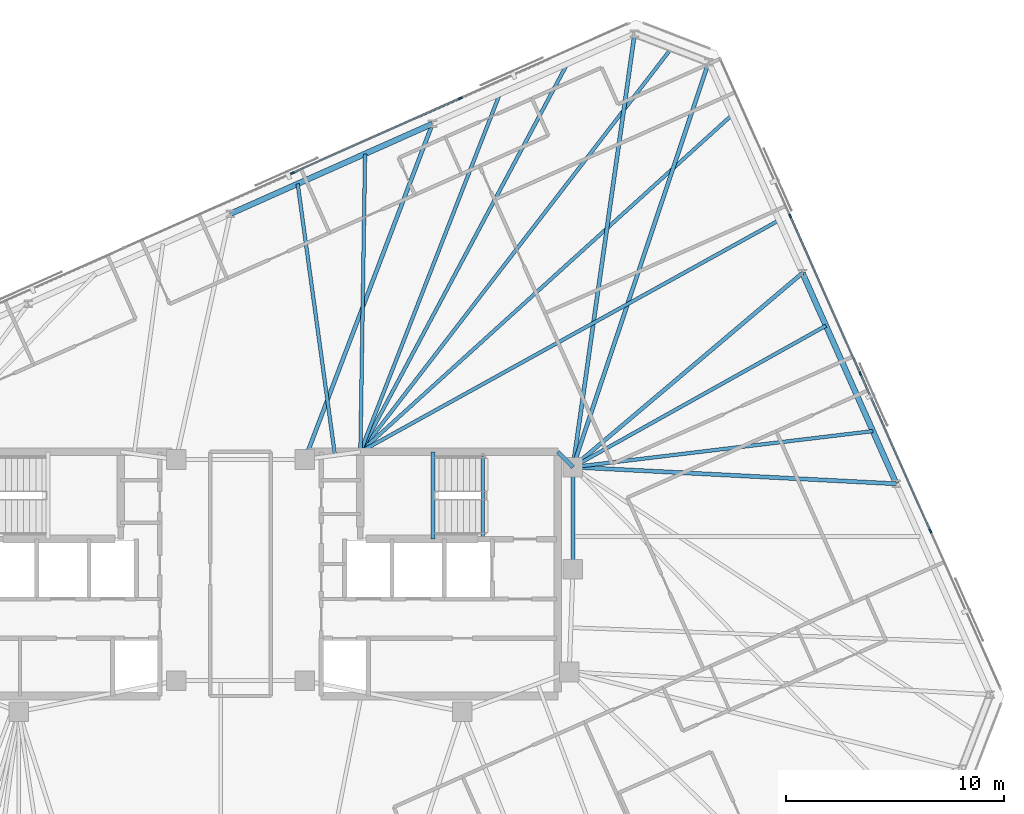
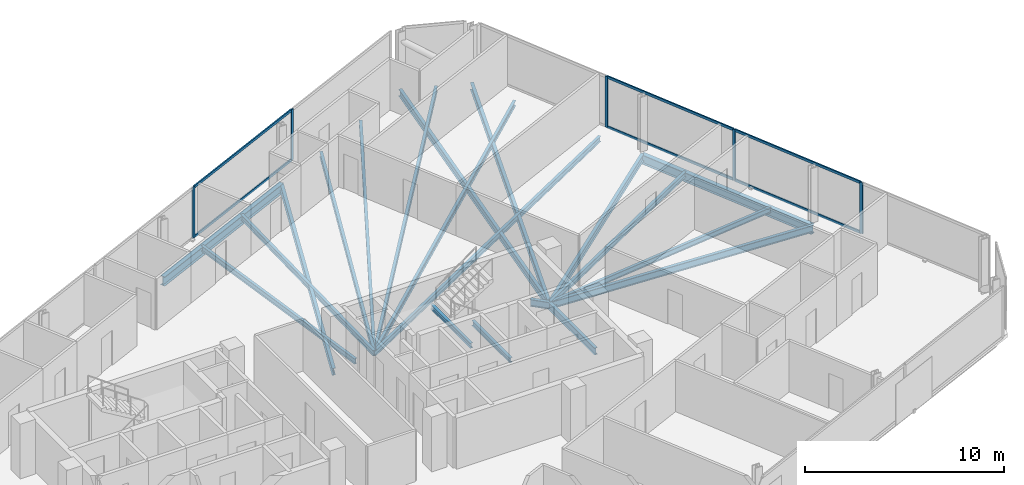
# One storey, part 10 of 18: 20 beams, 11 members, 2 elements without a shape of their own.
"""IFC4 building model written with IfcOpenShell, lengths in metres."""

from ifc_helpers import new_model, si_unit, direction, frame, origin, origin_2d, place, context, subcontext, project, spatial, rectangle, i_section, extrude, material, material_profile, profile_set, type_object, element, aggregate, save


model = new_model("IFC4")

# Units and contexts
model_context = context("Model", 3, precision=1e-05, world=origin(), true_north=direction((0.0, 1.0)))
body_context = subcontext(model_context, "Body", "Model", "MODEL_VIEW")
ifc_project = project(units=[si_unit("LENGTHUNIT", "METRE"), si_unit("AREAUNIT", "SQUARE_METRE"), si_unit("VOLUMEUNIT", "CUBIC_METRE"), si_unit("PLANEANGLEUNIT", "RADIAN"), si_unit("MASSUNIT", "GRAM", prefix="KILO")], contexts=[model_context])

# Site, building, storey
site_placement = place(None, origin())
site = spatial("IfcSite", under=ifc_project, at=site_placement, CompositionType="ELEMENT")
building_placement = place(site_placement, origin())
building = spatial("IfcBuilding", under=site, at=building_placement, Name="Menara Jurai Vektor", CompositionType="ELEMENT")
storey_placement = place(building_placement, frame((0.0, 0.0, 298.64990234375)))
storey = spatial("IfcBuildingStorey", under=building, at=storey_placement, Name="L80", CompositionType="ELEMENT", Elevation=298.64990234375)

# Curtain wall, members
ifc_material_1 = material(Name="Anodised Pale Aluminium & Low-E Double Glazing", Category="aluminium")
curtain_wall_type = type_object("IfcCurtainWallType", Name="CW-BLK5", PredefinedType="NOTDEFINED", material=ifc_material_1)
curtain_wall_1_placement = place(storey_placement, origin())
curtain_wall_1 = element("IfcCurtainWall", 1, at=curtain_wall_1_placement, inside=storey, type_object=curtain_wall_type, Name="Unitised Curtain Wall L80 F03", PredefinedType="NOTDEFINED")
ifc_material_2 = material(Name="Anodised Pale Aluminium Mullion", Category="aluminium")
ifc_material_profile_1 = material_profile(ifc_material_2, rectangle(XDim=0.074951171875, YDim=0.175048828125, at=origin_2d()), Name="ALU MUL 75x175")
ifc_profile_set_1 = profile_set([ifc_material_profile_1], Name="Anodised Pale Aluminium Mullion")
member_type_1 = type_object("IfcMemberType", Name="CW-BLK5-MUL", PredefinedType="MULLION", material=ifc_profile_set_1)
member_1_placement = place(storey_placement, frame((31.6533203125, 1.9658203125, 0.0), z_axis=(0.0, 0.0, 1.0), x_axis=(-0.913546127706, -0.406735138086, 0.0)))
member_1 = element("IfcMember", 2, at=member_1_placement, type_object=member_type_1, Name="CW-05 mullion 2", PredefinedType="MULLION", context=body_context, shape_type="SweptSolid", body=[
    extrude(rectangle(XDim=0.074951171875, YDim=0.175048828125, at=origin_2d()), origin(), (0.0, 0.0, 1.0), 3.125),
])
member_2_placement = place(storey_placement, frame((28.43603515625, 9.19189453125, 0.0), z_axis=(0.0, 0.0, 1.0), x_axis=(-0.913546127706, -0.406735138086, 0.0)))
member_2 = element("IfcMember", 3, at=member_2_placement, type_object=member_type_1, Name="CW-05 mullion 3", PredefinedType="MULLION", context=body_context, shape_type="SweptSolid", body=[
    extrude(rectangle(XDim=0.074951171875, YDim=0.175048828125, at=origin_2d()), origin(), (0.0, 0.0, 1.0), 3.125),
])
member_3_placement = place(storey_placement, frame((25.21875, 16.418212890625, 0.0), z_axis=(0.0, 0.0, 1.0), x_axis=(-0.913546127706, -0.406735138086, 0.0)))
member_3 = element("IfcMember", 4, at=member_3_placement, type_object=member_type_1, Name="CW-05 mullion 4", PredefinedType="MULLION", context=body_context, shape_type="SweptSolid", body=[
    extrude(rectangle(XDim=0.074951171875, YDim=0.175048828125, at=origin_2d()), origin(), (0.0, 0.0, 1.0), 3.125),
])

curtain_wall_2_placement = place(storey_placement, origin())
curtain_wall_2 = element("IfcCurtainWall", 5, at=curtain_wall_2_placement, inside=storey, type_object=curtain_wall_type, Name="Unitised Curtain Wall L80 F05", PredefinedType="NOTDEFINED")
member_4_placement = place(storey_placement, frame((10.0927734375, 21.822998046875, 0.0), z_axis=(0.0, 0.0, 1.0), x_axis=(0.406735498684, -0.913545967158, 0.0)))
member_4 = element("IfcMember", 6, at=member_4_placement, type_object=member_type_1, Name="CW-05 mullion 2", PredefinedType="MULLION", context=body_context, shape_type="SweptSolid", body=[
    extrude(rectangle(XDim=0.074951171875, YDim=0.175048828125, at=origin_2d()), origin(), (0.0, 0.0, 1.0), 3.125),
])
member_5_placement = place(storey_placement, frame((2.38232421875, 18.39013671875, 0.0), z_axis=(0.0, 0.0, 1.0), x_axis=(0.406735498684, -0.913545967158, 0.0)))
member_5 = element("IfcMember", 7, at=member_5_placement, type_object=member_type_1, Name="CW-05 mullion 3", PredefinedType="MULLION", context=body_context, shape_type="SweptSolid", body=[
    extrude(rectangle(XDim=0.074951171875, YDim=0.175048828125, at=origin_2d()), origin(), (0.0, 0.0, 1.0), 3.125),
])

# Member
ifc_material_3 = material(Name="Anodised Pale Aluminium Transom", Category="aluminium")
ifc_material_profile_2 = material_profile(ifc_material_3, rectangle(XDim=0.074951171875, YDim=0.155029296875, at=origin_2d()), Name="ALU TRN 75x155")
ifc_profile_set_2 = profile_set([ifc_material_profile_2], Name="Anodised Pale Aluminium Transom")
member_type_2 = type_object("IfcMemberType", Name="CW-BLK5-TRN", PredefinedType="USERDEFINED", material=ifc_profile_set_2)
member_6_placement = place(storey_placement, frame((31.63818359375, 2.0, 0.03759765625), z_axis=(-0.406731062496, 0.913547942256, 0.0), x_axis=(-0.913547942256, -0.406731062496, 0.0)))
member_6 = element("IfcMember", 8, at=member_6_placement, type_object=member_type_2, Name="CW-05 transom 2.1", ObjectType="TRANSOM", PredefinedType="USERDEFINED", context=body_context, shape_type="SweptSolid", body=[
    extrude(rectangle(XDim=0.074951171875, YDim=0.155029296875, at=origin_2d()), origin(), (0.0, 0.0, 1.0), 7.8349609375),
])

member_7_placement = place(storey_placement, frame((31.63818359375, 2.0, 3.087646484375), z_axis=(-0.406731062496, 0.913547942256, 0.0), x_axis=(-0.913547942256, -0.406731062496, 0.0)))
member_7 = element("IfcMember", 9, at=member_7_placement, type_object=member_type_2, Name="CW-05 transom 2.2", ObjectType="TRANSOM", PredefinedType="USERDEFINED", context=body_context, shape_type="SweptSolid", body=[
    extrude(rectangle(XDim=0.074951171875, YDim=0.155029296875, at=origin_2d()), origin(), (0.0, 0.0, 1.0), 7.8349609375),
])

member_8_placement = place(storey_placement, frame((28.4208984375, 9.226318359375, 0.03759765625), z_axis=(-0.40674264085, 0.913542787238, 0.0), x_axis=(-0.913542787238, -0.40674264085, 0.0)))
member_8 = element("IfcMember", 10, at=member_8_placement, type_object=member_type_2, Name="CW-05 transom 3.1", ObjectType="TRANSOM", PredefinedType="USERDEFINED", context=body_context, shape_type="SweptSolid", body=[
    extrude(rectangle(XDim=0.074951171875, YDim=0.155029296875, at=origin_2d()), origin(), (0.0, 0.0, 1.0), 7.8349609375),
])

member_9_placement = place(storey_placement, frame((28.4208984375, 9.226318359375, 3.087646484375), z_axis=(-0.40674264085, 0.913542787238, 0.0), x_axis=(-0.913542787238, -0.40674264085, 0.0)))
member_9 = element("IfcMember", 11, at=member_9_placement, type_object=member_type_2, Name="CW-05 transom 3.2", ObjectType="TRANSOM", PredefinedType="USERDEFINED", context=body_context, shape_type="SweptSolid", body=[
    extrude(rectangle(XDim=0.074951171875, YDim=0.155029296875, at=origin_2d()), origin(), (0.0, 0.0, 1.0), 7.8349609375),
])

aggregate(curtain_wall_1, [member_1, member_2, member_3, member_6, member_7, member_8, member_9])

member_10_placement = place(storey_placement, frame((10.058349609375, 21.807861328125, 0.03759765625), z_axis=(-0.913546575494, -0.406734132331, 0.0), x_axis=(0.406734132331, -0.913546575494, 0.0)))
member_10 = element("IfcMember", 12, at=member_10_placement, type_object=member_type_2, Name="CW-05 transom 2.1", ObjectType="TRANSOM", PredefinedType="USERDEFINED", context=body_context, shape_type="SweptSolid", body=[
    extrude(rectangle(XDim=0.074951171875, YDim=0.155029296875, at=origin_2d()), origin(), (0.0, 0.0, 1.0), 8.364990234375),
])

member_11_placement = place(storey_placement, frame((10.058349609375, 21.807861328125, 3.087646484375), z_axis=(-0.913546575494, -0.406734132331, 0.0), x_axis=(0.406734132331, -0.913546575494, 0.0)))
member_11 = element("IfcMember", 13, at=member_11_placement, type_object=member_type_2, Name="CW-05 transom 2.2", ObjectType="TRANSOM", PredefinedType="USERDEFINED", context=body_context, shape_type="SweptSolid", body=[
    extrude(rectangle(XDim=0.074951171875, YDim=0.155029296875, at=origin_2d()), origin(), (0.0, 0.0, 1.0), 8.364990234375),
])

aggregate(curtain_wall_2, [member_4, member_5, member_10, member_11])

# Beams
ifc_material_4 = material(Name="Steel S355", Category="steel")
ifc_material_profile_3 = material_profile(ifc_material_4, i_section(OverallWidth=0.18505859375, OverallDepth=0.429931640625, WebThickness=0.010986328125, FlangeThickness=0.01806640625, at=origin_2d()), Name="PG 430x185x76")
ifc_profile_set_3 = profile_set([ifc_material_profile_3], Name="Steel S355")
beam_type_1 = type_object("IfcBeamType", Name="STR-BM-430", PredefinedType="BEAM", material=ifc_profile_set_3)
beam_1_placement = place(storey_placement, frame((14.56005859375, 5.60009765625, -0.43994140625), z_axis=(0.701871936926, -0.712303154672, 0.0), x_axis=(0.712303154672, 0.701871936926, 0.0)))
element("IfcBeam", 14, at=beam_1_placement, inside=storey, type_object=beam_type_1, Name="Core Ring Header Girder L80-CHE-N2", PredefinedType="BEAM", context=body_context, shape_type="SweptSolid", body=[
    extrude(i_section(OverallWidth=0.18505859375, OverallDepth=0.429931640625, WebThickness=0.010986328125, FlangeThickness=0.01806640625, at=origin_2d()), origin(), (0.0, 0.0, 1.0), 0.98291015625),
])
beam_2_placement = place(storey_placement, frame((15.25, 0.219970703125, -0.43994140625), z_axis=(0.0, 1.0, 0.0), x_axis=(-1.0, 0.0, 0.0)))
element("IfcBeam", 15, at=beam_2_placement, inside=storey, type_object=beam_type_1, Name="Core Ring Header Girder L80-CHE-E1", PredefinedType="BEAM", context=body_context, shape_type="SweptSolid", body=[
    extrude(i_section(OverallWidth=0.18505859375, OverallDepth=0.429931640625, WebThickness=0.010986328125, FlangeThickness=0.01806640625, at=origin_2d()), origin(), (0.0, 0.0, 1.0), 4.679931640625),
])
beam_3_placement = place(storey_placement, frame((30.086181640625, 4.13330078125, -0.43994140625), z_axis=(-0.998667716832, 0.051602241782, 0.0), x_axis=(-0.051602241782, -0.998667716832, 0.0)))
element("IfcBeam", 16, at=beam_3_placement, inside=storey, type_object=beam_type_1, Name="Radial Floor Girder L80-E2", PredefinedType="BEAM", context=body_context, shape_type="SweptSolid", body=[
    extrude(i_section(OverallWidth=0.18505859375, OverallDepth=0.429931640625, WebThickness=0.010986328125, FlangeThickness=0.01806640625, at=origin_2d()), origin(), (0.0, 0.0, 1.0), 14.85595703125),
])
beam_4_placement = place(storey_placement, frame((25.781005859375, 13.80322265625, -0.43994140625), z_axis=(-0.763655500673, -0.6456239434, 0.0), x_axis=(0.6456239434, -0.763655500673, 0.0)))
element("IfcBeam", 17, at=beam_4_placement, inside=storey, type_object=beam_type_1, Name="Radial Floor Girder L80-E3", PredefinedType="BEAM", context=body_context, shape_type="SweptSolid", body=[
    extrude(i_section(OverallWidth=0.18505859375, OverallDepth=0.429931640625, WebThickness=0.010986328125, FlangeThickness=0.01806640625, at=origin_2d()), origin(), (0.0, 0.0, 1.0), 13.790283203125),
])
beam_5_placement = place(storey_placement, frame((21.4755859375, 23.473388671875, -0.43994140625), z_axis=(-0.317808893183, -0.948154790851, 0.0), x_axis=(0.948154790851, -0.317808893183, 0.0)))
element("IfcBeam", 18, at=beam_5_placement, inside=storey, type_object=beam_type_1, Name="Radial Floor Girder L80-E4", PredefinedType="BEAM", context=body_context, shape_type="SweptSolid", body=[
    extrude(i_section(OverallWidth=0.18505859375, OverallDepth=0.429931640625, WebThickness=0.010986328125, FlangeThickness=0.01806640625, at=origin_2d()), origin(), (0.0, 0.0, 1.0), 19.589111328125),
])
beam_6_placement = place(storey_placement, frame((18.07958984375, 24.777099609375, -0.43994140625), z_axis=(-0.140932755913, -0.990019170678, 0.0), x_axis=(0.990019170678, -0.140932755913, 0.0)))
element("IfcBeam", 19, at=beam_6_placement, inside=storey, type_object=beam_type_1, Name="Radial Floor Girder L80-N1", PredefinedType="BEAM", context=body_context, shape_type="SweptSolid", body=[
    extrude(i_section(OverallWidth=0.18505859375, OverallDepth=0.429931640625, WebThickness=0.010986328125, FlangeThickness=0.01806640625, at=origin_2d()), origin(), (0.0, 0.0, 1.0), 20.07763671875),
])
beam_7_placement = place(storey_placement, frame((8.805908203125, 20.648193359375, -0.43994140625), z_axis=(-0.355464051758, -0.934689952823, 0.0), x_axis=(0.934689952823, -0.355464051758, 0.0)))
element("IfcBeam", 20, at=beam_7_placement, inside=storey, type_object=beam_type_1, Name="Radial Floor Girder L80-N2", PredefinedType="BEAM", context=body_context, shape_type="SweptSolid", body=[
    extrude(i_section(OverallWidth=0.18505859375, OverallDepth=0.429931640625, WebThickness=0.010986328125, FlangeThickness=0.01806640625, at=origin_2d()), origin(), (0.0, 0.0, 1.0), 16.47412109375),
])
ifc_material_profile_4 = material_profile(ifc_material_4, i_section(OverallWidth=0.1650390625, OverallDepth=0.330078125, WebThickness=0.009033203125, FlangeThickness=0.013916015625, at=origin_2d()), Name="PG 330x165x46")
ifc_profile_set_4 = profile_set([ifc_material_profile_4], Name="Steel S355")
beam_type_2 = type_object("IfcBeamType", Name="STR-JS-330", PredefinedType="JOIST", material=ifc_profile_set_4)
beam_8_placement = place(storey_placement, frame((29.010009765625, 6.55078125, -0.389892578125), z_axis=(-0.992879589053, -0.119122296999, 0.0), x_axis=(0.119122296999, -0.992879589053, 0.0)))
element("IfcBeam", 21, at=beam_8_placement, inside=storey, type_object=beam_type_2, Name="Radial Secondary Floor Joist L80-JS10", PredefinedType="JOIST", context=body_context, shape_type="SweptSolid", body=[
    extrude(i_section(OverallWidth=0.1650390625, OverallDepth=0.330078125, WebThickness=0.009033203125, FlangeThickness=0.013916015625, at=origin_2d()), origin(), (0.0, 0.0, 1.0), 13.858642578125),
])
beam_9_placement = place(storey_placement, frame((26.857177734375, 11.3857421875, -0.389892578125), z_axis=(-0.872960269613, -0.487791315705, 0.0), x_axis=(0.487791315705, -0.872960269613, 0.0)))
element("IfcBeam", 22, at=beam_9_placement, inside=storey, type_object=beam_type_2, Name="Radial Secondary Floor Joist L80-JS11", PredefinedType="JOIST", context=body_context, shape_type="SweptSolid", body=[
    extrude(i_section(OverallWidth=0.1650390625, OverallDepth=0.330078125, WebThickness=0.009033203125, FlangeThickness=0.013916015625, at=origin_2d()), origin(), (0.0, 0.0, 1.0), 13.29638671875),
])
beam_10_placement = place(storey_placement, frame((24.70458984375, 16.220703125, -0.389892578125), z_axis=(-0.87509599458, -0.483949377797, 0.0), x_axis=(0.483949377797, -0.87509599458, 0.0)))
element("IfcBeam", 23, at=beam_10_placement, inside=storey, type_object=beam_type_2, Name="Radial Secondary Floor Joist L80-JS12", PredefinedType="JOIST", context=body_context, shape_type="SweptSolid", body=[
    extrude(i_section(OverallWidth=0.1650390625, OverallDepth=0.330078125, WebThickness=0.009033203125, FlangeThickness=0.013916015625, at=origin_2d()), origin(), (0.0, 0.0, 1.0), 21.94580078125),
])
beam_11_placement = place(storey_placement, frame((22.552001953125, 21.055908203125, -0.389892578125), z_axis=(-0.74093432875, -0.67157748658, 0.0), x_axis=(0.67157748658, -0.74093432875, 0.0)))
element("IfcBeam", 24, at=beam_11_placement, inside=storey, type_object=beam_type_2, Name="Radial Secondary Floor Joist L80-JS13", PredefinedType="JOIST", context=body_context, shape_type="SweptSolid", body=[
    extrude(i_section(OverallWidth=0.1650390625, OverallDepth=0.330078125, WebThickness=0.009033203125, FlangeThickness=0.013916015625, at=origin_2d()), origin(), (0.0, 0.0, 1.0), 23.01416015625),
])
beam_12_placement = place(storey_placement, frame((19.777587890625, 24.125244140625, -0.389892578125), z_axis=(-0.610448519134, -0.792055935832, 0.0), x_axis=(0.792055935832, -0.610448519134, 0.0)))
element("IfcBeam", 25, at=beam_12_placement, inside=storey, type_object=beam_type_2, Name="Radial Secondary Floor Joist L80-JS14", PredefinedType="JOIST", context=body_context, shape_type="SweptSolid", body=[
    extrude(i_section(OverallWidth=0.1650390625, OverallDepth=0.330078125, WebThickness=0.009033203125, FlangeThickness=0.013916015625, at=origin_2d()), origin(), (0.0, 0.0, 1.0), 23.388671875),
])
beam_13_placement = place(storey_placement, frame((14.98828125, 23.400634765625, -0.389892578125), z_axis=(-0.470382173413, -0.882462809945, 0.0), x_axis=(0.882462809945, -0.470382173413, 0.0)))
element("IfcBeam", 26, at=beam_13_placement, inside=storey, type_object=beam_type_2, Name="Radial Secondary Floor Joist L80-JS15", PredefinedType="JOIST", context=body_context, shape_type="SweptSolid", body=[
    extrude(i_section(OverallWidth=0.1650390625, OverallDepth=0.330078125, WebThickness=0.009033203125, FlangeThickness=0.013916015625, at=origin_2d()), origin(), (0.0, 0.0, 1.0), 20.17138671875),
])
beam_14_placement = place(storey_placement, frame((11.897216796875, 22.0244140625, -0.389892578125), z_axis=(-0.36293816309, -0.931813226872, 0.0), x_axis=(0.931813226872, -0.36293816309, 0.0)))
element("IfcBeam", 27, at=beam_14_placement, inside=storey, type_object=beam_type_2, Name="Radial Secondary Floor Joist L80-JS16", PredefinedType="JOIST", context=body_context, shape_type="SweptSolid", body=[
    extrude(i_section(OverallWidth=0.1650390625, OverallDepth=0.330078125, WebThickness=0.009033203125, FlangeThickness=0.013916015625, at=origin_2d()), origin(), (0.0, 0.0, 1.0), 17.626220703125),
])
beam_15_placement = place(storey_placement, frame((5.71484375, 19.27197265625, -0.389892578125), z_axis=(-0.01571234584, -0.999876553475, 0.0), x_axis=(0.999876553475, -0.01571234584, 0.0)))
element("IfcBeam", 28, at=beam_15_placement, inside=storey, type_object=beam_type_2, Name="Radial Secondary Floor Joist L80-JS17", PredefinedType="JOIST", context=body_context, shape_type="SweptSolid", body=[
    extrude(i_section(OverallWidth=0.1650390625, OverallDepth=0.330078125, WebThickness=0.009033203125, FlangeThickness=0.013916015625, at=origin_2d()), origin(), (0.0, 0.0, 1.0), 13.673583984375),
])
beam_16_placement = place(storey_placement, frame((2.62353515625, 17.8955078125, -0.389892578125), z_axis=(0.13599011119, -0.990710194587, 0.0), x_axis=(0.990710194587, 0.13599011119, 0.0)))
element("IfcBeam", 29, at=beam_16_placement, inside=storey, type_object=beam_type_2, Name="Radial Secondary Floor Joist L80-JS18", PredefinedType="JOIST", context=body_context, shape_type="SweptSolid", body=[
    extrude(i_section(OverallWidth=0.1650390625, OverallDepth=0.330078125, WebThickness=0.009033203125, FlangeThickness=0.013916015625, at=origin_2d()), origin(), (0.0, 0.0, 1.0), 12.572265625),
])
ifc_material_profile_5 = material_profile(ifc_material_4, i_section(OverallWidth=0.1650390625, OverallDepth=0.302978515625, WebThickness=0.006103515625, FlangeThickness=0.010009765625, FilletRadius=0.009033203125, at=origin_2d()), Name="UKB 305x165x40")
ifc_profile_set_5 = profile_set([ifc_material_profile_5], Name="Steel S355")
beam_type_3 = type_object("IfcBeamType", Name="STR-LN-305", PredefinedType="LINTEL", material=ifc_profile_set_5)
beam_17_placement = place(storey_placement, frame((11.1201171875, 1.60009765625, -0.37646484375), z_axis=(0.0, 1.0, 0.0), x_axis=(-1.0, 0.0, 0.0)))
element("IfcBeam", 30, at=beam_17_placement, inside=storey, type_object=beam_type_3, Name="Stair Well Floor Trimmer ST2 L80", PredefinedType="LINTEL", context=body_context, shape_type="SweptSolid", body=[
    extrude(i_section(OverallWidth=0.1650390625, OverallDepth=0.302978515625, WebThickness=0.006103515625, FlangeThickness=0.010009765625, FilletRadius=0.009033203125, at=origin_2d()), origin(), (0.0, 0.0, 1.0), 3.81982421875),
])
beam_18_placement = place(storey_placement, frame((8.830078125, 1.60009765625, 1.323486328125), z_axis=(0.0, 1.0, 0.0), x_axis=(-1.0, 0.0, 0.0)))
element("IfcBeam", 31, at=beam_18_placement, inside=storey, type_object=beam_type_3, Name="Stair Half-Landing Nosing Trimmer ST2-1 L80", PredefinedType="LINTEL", context=body_context, shape_type="SweptSolid", body=[
    extrude(i_section(OverallWidth=0.1650390625, OverallDepth=0.302978515625, WebThickness=0.006103515625, FlangeThickness=0.010009765625, FilletRadius=0.009033203125, at=origin_2d()), origin(), (0.0, 0.0, 1.0), 4.0),
])
ifc_material_profile_6 = material_profile(ifc_material_4, i_section(OverallWidth=0.260009765625, OverallDepth=0.570068359375, WebThickness=0.013916015625, FlangeThickness=0.02392578125, at=origin_2d()), Name="PG 570x260x145")
ifc_profile_set_6 = profile_set([ifc_material_profile_6], Name="Steel S355")
beam_type_4 = type_object("IfcBeamType", Name="STR-SP-570", PredefinedType="SPANDREL", material=ifc_profile_set_6)
beam_19_placement = place(storey_placement, frame((30.086181640625, 4.13330078125, -0.510009765625), z_axis=(-0.406724751578, 0.913550751986, 0.0), x_axis=(-0.913550751986, -0.406724751578, 0.0)))
element("IfcBeam", 32, at=beam_19_placement, inside=storey, type_object=beam_type_4, Name="Exoskeleton Spandrel Beam L80-08", PredefinedType="SPANDREL", context=body_context, shape_type="SweptSolid", body=[
    extrude(i_section(OverallWidth=0.260009765625, OverallDepth=0.570068359375, WebThickness=0.013916015625, FlangeThickness=0.02392578125, at=origin_2d()), origin(), (0.0, 0.0, 1.0), 10.5849609375),
])
beam_20_placement = place(storey_placement, frame((8.805908203125, 20.648193359375, -0.510009765625), z_axis=(-0.913541582548, -0.406745346568, 0.0), x_axis=(0.406745346568, -0.913541582548, 0.0)))
element("IfcBeam", 33, at=beam_20_placement, inside=storey, type_object=beam_type_4, Name="Exoskeleton Spandrel Beam L80-12", PredefinedType="SPANDREL", context=body_context, shape_type="SweptSolid", body=[
    extrude(i_section(OverallWidth=0.260009765625, OverallDepth=0.570068359375, WebThickness=0.013916015625, FlangeThickness=0.02392578125, at=origin_2d()), origin(), (0.0, 0.0, 1.0), 10.151123046875),
])

save(model, "model.ifc")
